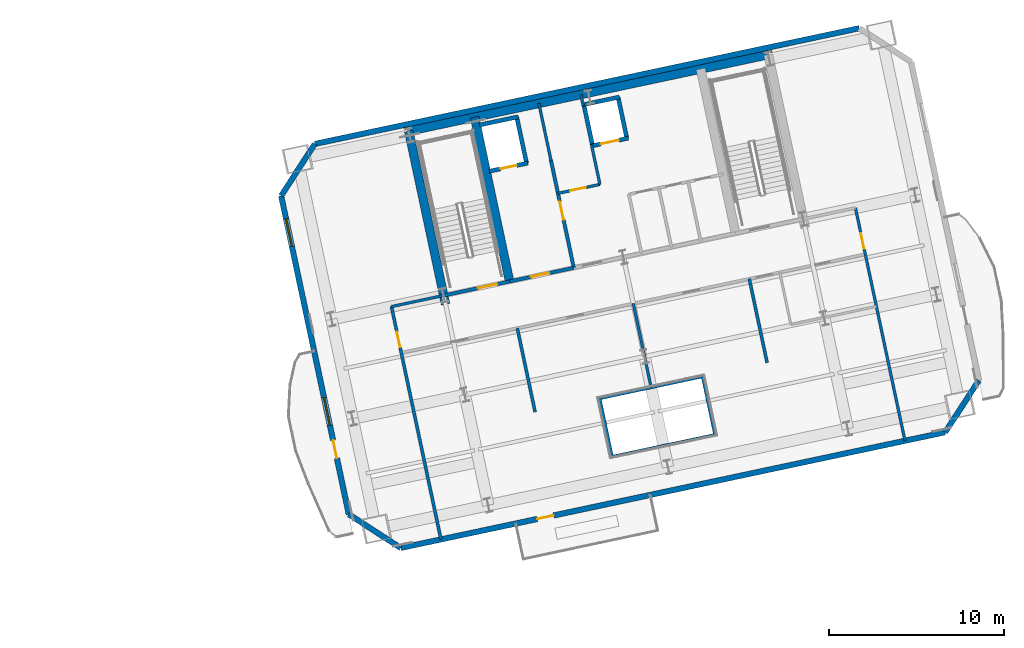
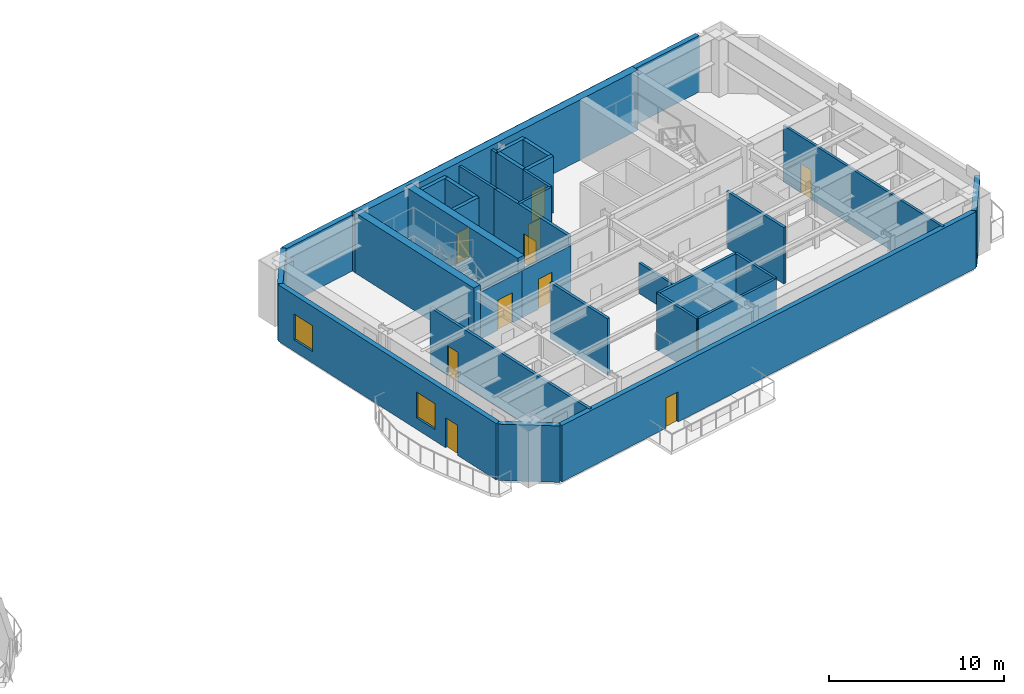
# One storey, part 9 of 15: 33 walls, 10 doors, 2 windows, 12 openings.
"""IFC4 building model written with IfcOpenShell, lengths in metres."""

from ifc_helpers import new_model, si_unit, direction, frame, frame_2d, origin, place, context, subcontext, project, spatial, rectangle, extrude, material, layer, layer_set, type_object, element, fill, save


model = new_model("IFC4")

# Units and contexts
model_context = context("Model", 3, precision=1e-05, world=origin(), true_north=direction((0.0, 1.0)))
body_context = subcontext(model_context, "Body", "Model", "MODEL_VIEW")
ifc_project = project(units=[si_unit("LENGTHUNIT", "METRE"), si_unit("AREAUNIT", "SQUARE_METRE"), si_unit("VOLUMEUNIT", "CUBIC_METRE"), si_unit("PLANEANGLEUNIT", "RADIAN"), si_unit("MASSUNIT", "GRAM", prefix="KILO")], contexts=[model_context])

# Site, building, storey
site_placement = place(None, origin())
site = spatial("IfcSite", under=ifc_project, at=site_placement, CompositionType="ELEMENT")
building_placement = place(site_placement, origin())
building = spatial("IfcBuilding", under=site, at=building_placement, Name="Haevon Station Towers", CompositionType="ELEMENT")
storey_placement = place(building_placement, frame((0.0, 0.0, 129.60009765625)))
storey = spatial("IfcBuildingStorey", under=building, at=storey_placement, Name="L35", CompositionType="ELEMENT", Elevation=129.60009765625)

# Wall, opening, door
ifc_material_1 = material(Name="Gypsum board on steel stud", Category="steel")
ifc_layer_1 = layer(ifc_material_1, 0.179931640625)
ifc_layer_set_1 = layer_set([ifc_layer_1], Name="Gypsum board on steel stud")
wall_type_1 = type_object("IfcWallType", Name="WL-ACU180", PredefinedType="PARTITIONING", material=ifc_layer_set_1)
wall_1_placement = place(storey_placement, frame((98.5966796875, 23.50537109375, 0.0), z_axis=(0.0, 0.0, 1.0), x_axis=(-0.207911785474, 0.978147580614, 0.0)))
wall_1 = element("IfcWall", 1, at=wall_1_placement, inside=storey, type_object=wall_type_1, Name="WL-T2PT-L35-03", PredefinedType="PARTITIONING", context=body_context, shape_type="SweptSolid", body=[
    extrude(rectangle(XDim=13.60009765625, YDim=0.179931640625, at=frame_2d((6.800048828125, 0.0))), origin(), (0.0, 0.0, 1.0), 3.929931640625),
])
opening_1_placement = place(wall_1_placement, frame((11.219970703125, 0.0, 0.0)))
opening_1 = element("IfcOpeningElement", 2, at=opening_1_placement, cuts=wall_1, Name="Opening DR-WL-T2PT-L35-03-01", PredefinedType="OPENING", context=body_context, shape_type="SweptSolid", body=[
    extrude(rectangle(XDim=0.89990234375, YDim=2.050048828125, at=frame_2d((0.449951171875, 1.02490234375))), frame((0.0, 0.099853515625, 0.0), z_axis=(0.0, -1.0, 0.0), x_axis=(1.0, 0.0, 0.0)), (0.0, 0.0, 1.0), 0.199951171875),
])
ifc_material_2 = material(Name="Engineered oak timber", Category="wood")
door_type_1 = type_object("IfcDoorType", Name="DR-INT-900", OperationType="NOTDEFINED", PredefinedType="DOOR", material=ifc_material_2)
door_1_placement = place(opening_1_placement, origin())
door_1 = element("IfcDoor", 3, at=door_1_placement, inside=storey, type_object=door_type_1, Name="L35 Tower 2 Room Door 3-1", OperationType="SINGLE_SWING_LEFT", OverallHeight=2.050048828125, OverallWidth=0.89990234375, PredefinedType="DOOR", context=body_context, shape_type="SweptSolid", body=[
    extrude(rectangle(XDim=0.89990234375, YDim=2.050048828125, at=frame_2d((0.449951171875, 1.02490234375))), frame((0.0, 0.02490234375, 0.0), z_axis=(0.0, -1.0, 0.0), x_axis=(1.0, 0.0, 0.0)), (0.0, 0.0, 1.0), 0.050048828125),
])
fill(opening_1, door_1)

# Walls
wall_2_placement = place(storey_placement, frame((107.668701171875, 31.56787109375, 0.0), z_axis=(0.0, 0.0, 1.0), x_axis=(0.978151197336, 0.207894769415, 0.0)))
element("IfcWall", 4, at=wall_2_placement, inside=storey, type_object=wall_type_1, Name="WL-T2PT-L35-06", PredefinedType="PARTITIONING", context=body_context, shape_type="SweptSolid", body=[
    extrude(rectangle(XDim=5.999755859375, YDim=0.179931640625, at=frame_2d((3.0, 0.0))), origin(), (0.0, 0.0, 1.0), 3.929931640625),
])
for number, where, z_axis, x_axis, name in (
    (5, (103.97607421875, 30.782958984375, 0.0), (0.0, 0.0, 1.0), (-0.207915961186, 0.978146693029, 0.0), "WL-T2PT-L35-09"),
    (6, (117.22998046875, 33.60009765625, 0.0), (0.0, 0.0, 1.0), (-0.207915961186, 0.978146693029, 0.0), "WL-T2PT-L35-12"),
):
    element("IfcWall", number, at=place(storey_placement, frame(where, z_axis=z_axis, x_axis=x_axis)), inside=storey, type_object=wall_type_1, Name=name, PredefinedType="PARTITIONING", context=body_context, shape_type="SweptSolid", body=[
        extrude(rectangle(XDim=4.900146484375, YDim=0.179931640625, at=frame_2d((2.4501953125, 0.0))), origin(), (0.0, 0.0, 1.0), 3.929931640625),
    ])

# Wall, opening, door
ifc_layer_2 = layer(ifc_material_1, 0.199951171875)
ifc_layer_set_2 = layer_set([ifc_layer_2], Name="Gypsum board on steel stud")
wall_type_2 = type_object("IfcWallType", Name="WL-COR200", PredefinedType="PARTITIONING", material=ifc_layer_set_2)
wall_3_placement = place(storey_placement, frame((98.75244140625, 37.4423828125, 0.0), z_axis=(0.0, 0.0, 1.0), x_axis=(0.978143537786, 0.207930804564, 0.0)))
wall_3 = element("IfcWall", 7, at=wall_3_placement, inside=storey, type_object=wall_type_2, Name="WL-ST-ST3-L35", PredefinedType="PARTITIONING", context=body_context, shape_type="SweptSolid", body=[
    extrude(rectangle(XDim=3.85009765625, YDim=0.199951171875, at=frame_2d((1.925048828125, 0.0))), origin(), (0.0, 0.0, 1.0), 3.27978515625),
])
opening_2_placement = place(wall_3_placement, frame((2.0, 0.0, 0.0)))
opening_2 = element("IfcOpeningElement", 8, at=opening_2_placement, cuts=wall_3, Name="Opening DR-ST-ST3-L35", PredefinedType="OPENING", context=body_context, shape_type="SweptSolid", body=[
    extrude(rectangle(XDim=1.1201171875, YDim=2.10009765625, at=frame_2d((0.56005859375, 1.050048828125))), frame((0.0, 0.10986328125, 0.0), z_axis=(0.0, -1.0, 0.0), x_axis=(1.0, 0.0, 0.0)), (0.0, 0.0, 1.0), 0.219970703125),
])
door_type_2 = type_object("IfcDoorType", Name="DR-ST-1120", OperationType="NOTDEFINED", PredefinedType="DOOR", material=ifc_material_2)
door_2_placement = place(opening_2_placement, origin())
door_2 = element("IfcDoor", 9, at=door_2_placement, inside=storey, type_object=door_type_2, Name="L35 Escape Stair ST3 Fire Door", OperationType="SINGLE_SWING_RIGHT", OverallHeight=2.10009765625, OverallWidth=1.1201171875, PredefinedType="DOOR", context=body_context, shape_type="SweptSolid", body=[
    extrude(rectangle(XDim=1.1201171875, YDim=2.10009765625, at=frame_2d((0.56005859375, 1.050048828125))), frame((0.0, 0.02490234375, 0.0), z_axis=(0.0, -1.0, 0.0), x_axis=(1.0, 0.0, 0.0)), (0.0, 0.0, 1.0), 0.050048828125),
])
fill(opening_2, door_2)

wall_4_placement = place(storey_placement, frame((106.186279296875, 39.0224609375, 0.0), z_axis=(0.0, 0.0, 1.0), x_axis=(-0.207916691923, 0.978146537703, 0.0)))
wall_4 = element("IfcWall", 10, at=wall_4_placement, inside=storey, type_object=wall_type_2, Name="WL-T2FFL-L35-E", PredefinedType="PARTITIONING", context=body_context, shape_type="SweptSolid", body=[
    extrude(rectangle(XDim=6.35009765625, YDim=0.199951171875, at=frame_2d((3.175048828125, 0.0))), origin(), (0.0, 0.0, 1.0), 3.929931640625),
])
opening_3_placement = place(wall_4_placement, frame((2.800048828125, 0.0, 0.0)))
opening_3 = element("IfcOpeningElement", 11, at=opening_3_placement, cuts=wall_4, Name="Opening DR-T2FFL-L35-E", PredefinedType="OPENING", context=body_context, shape_type="SweptSolid", body=[
    extrude(rectangle(XDim=1.050048828125, YDim=2.10009765625, at=frame_2d((0.52490234375, 1.050048828125))), frame((0.0, 0.10986328125, 0.0), z_axis=(0.0, -1.0, 0.0), x_axis=(1.0, 0.0, 0.0)), (0.0, 0.0, 1.0), 0.219970703125),
])
door_type_3 = type_object("IfcDoorType", Name="DR-FD60-1050", OperationType="NOTDEFINED", PredefinedType="DOOR", material=ifc_material_2)
door_3_placement = place(opening_3_placement, origin())
door_3 = element("IfcDoor", 12, at=door_3_placement, inside=storey, type_object=door_type_3, Name="L35 Tower 2 Firefighting Lift Lobby Door E", OperationType="SINGLE_SWING_RIGHT", OverallHeight=2.10009765625, OverallWidth=1.050048828125, PredefinedType="DOOR", context=body_context, shape_type="SweptSolid", body=[
    extrude(rectangle(XDim=1.050048828125, YDim=2.10009765625, at=frame_2d((0.52490234375, 1.050048828125))), frame((0.0, 0.02490234375, 0.0), z_axis=(0.0, -1.0, 0.0), x_axis=(1.0, 0.0, 0.0)), (0.0, 0.0, 1.0), 0.050048828125),
])
fill(opening_3, door_3)

wall_5_placement = place(storey_placement, frame((102.518310546875, 38.242919921875, 0.0), z_axis=(0.0, 0.0, 1.0), x_axis=(0.978153555683, 0.20788367301, 0.0)))
wall_5 = element("IfcWall", 13, at=wall_5_placement, inside=storey, type_object=wall_type_2, Name="WL-T2FFL-L35-S", PredefinedType="PARTITIONING", context=body_context, shape_type="SweptSolid", body=[
    extrude(rectangle(XDim=3.75, YDim=0.199951171875, at=frame_2d((1.875, 0.0))), origin(), (0.0, 0.0, 1.0), 3.27978515625),
])
opening_4_placement = place(wall_5_placement, frame((1.25, 0.0, 0.0)))
opening_4 = element("IfcOpeningElement", 14, at=opening_4_placement, cuts=wall_5, Name="Opening DR-T2FFL-L35-S", PredefinedType="OPENING", context=body_context, shape_type="SweptSolid", body=[
    extrude(rectangle(XDim=1.050048828125, YDim=2.10009765625, at=frame_2d((0.52490234375, 1.050048828125))), frame((0.0, 0.10986328125, 0.0), z_axis=(0.0, -1.0, 0.0), x_axis=(1.0, 0.0, 0.0)), (0.0, 0.0, 1.0), 0.219970703125),
])
door_4_placement = place(opening_4_placement, origin())
door_4 = element("IfcDoor", 15, at=door_4_placement, inside=storey, type_object=door_type_3, Name="L35 Tower 2 Firefighting Lift Lobby Door S", OperationType="SINGLE_SWING_LEFT", OverallHeight=2.10009765625, OverallWidth=1.050048828125, PredefinedType="DOOR", context=body_context, shape_type="SweptSolid", body=[
    extrude(rectangle(XDim=1.050048828125, YDim=2.10009765625, at=frame_2d((0.52490234375, 1.050048828125))), frame((0.0, 0.02490234375, 0.0), z_axis=(0.0, -1.0, 0.0), x_axis=(1.0, 0.0, 0.0)), (0.0, 0.0, 1.0), 0.050048828125),
])
fill(opening_4, door_4)

# Walls
ifc_material_3 = material(Name="Concrete C60/75", Category="concrete")
ifc_layer_3 = layer(ifc_material_3, 0.5)
ifc_layer_set_3 = layer_set([ifc_layer_3], Name="Concrete C60/75")
wall_type_3 = type_object("IfcWallType", Name="WL-CR500", PredefinedType="SHEAR", material=ifc_layer_set_3)
wall_6_placement = place(storey_placement, frame((96.511962890625, 46.78076171875, 0.0), z_axis=(0.0, 0.0, 1.0), x_axis=(0.978148546782, 0.207907239961, 0.0)))
element("IfcWall", 16, at=wall_6_placement, inside=storey, type_object=wall_type_3, Name="WL-T2CR-L35-N", PredefinedType="SHEAR", context=body_context, shape_type="SweptSolid", body=[
    extrude(rectangle(XDim=21.499755859375, YDim=0.5, at=frame_2d((10.75, 0.0))), origin(), (0.0, 0.0, 1.0), 4.199951171875),
])
wall_7_placement = place(storey_placement, frame((98.8603515625, 36.933837890625, 0.0), z_axis=(0.0, 0.0, 1.0), x_axis=(-0.20790924889, 0.978148119778, 0.0)))
element("IfcWall", 17, at=wall_7_placement, inside=storey, type_object=wall_type_3, Name="WL-T2CR-L35-W", PredefinedType="SHEAR", context=body_context, shape_type="SweptSolid", body=[
    extrude(rectangle(XDim=10.119873046875, YDim=0.5, at=frame_2d((5.06005859375, 0.0))), origin(), (0.0, 0.0, 1.0), 4.199951171875),
])
wall_8_placement = place(storey_placement, frame((102.518310546875, 38.242919921875, 0.0), z_axis=(0.0, 0.0, 1.0), x_axis=(-0.207927495108, 0.978144241295, 0.0)))
element("IfcWall", 18, at=wall_8_placement, inside=storey, type_object=wall_type_3, Name="WL-T2CR-L35-M1", PredefinedType="SHEAR", context=body_context, shape_type="SweptSolid", body=[
    extrude(rectangle(XDim=9.599853515625, YDim=0.5, at=frame_2d((4.7998046875, 0.0))), origin(), (0.0, 0.0, 1.0), 4.199951171875),
])

# Wall, opening, door
ifc_material_4 = material(Name="Precast concrete C45/55", Category="concrete")
ifc_layer_4 = layer(ifc_material_4, 0.320068359375)
ifc_layer_set_4 = layer_set([ifc_layer_4], Name="Precast concrete C45/55")
wall_type_4 = type_object("IfcWallType", Name="WL-EXT-PIER320", PredefinedType="SOLIDWALL", material=ifc_layer_set_4)
wall_9_placement = place(storey_placement, frame((127.403076171875, 29.62841796875, 0.0), z_axis=(0.0, 0.0, 1.0), x_axis=(-0.978147903401, -0.207910266877, 0.0)))
wall_9 = element("IfcWall", 19, at=wall_9_placement, inside=storey, type_object=wall_type_4, Name="WL-T2-L35-S", PredefinedType="SOLIDWALL", context=body_context, shape_type="SweptSolid", body=[
    extrude(rectangle(XDim=31.800048828125, YDim=0.320068359375, at=frame_2d((15.89990234375, 0.0))), origin(), (0.0, 0.0, 1.0), 3.929931640625),
])
opening_5_placement = place(wall_9_placement, frame((22.875, 0.0, 0.0)))
opening_5 = element("IfcOpeningElement", 20, at=opening_5_placement, cuts=wall_9, Name="Opening DR-T2-PBAND-L35-1", PredefinedType="OPENING", context=body_context, shape_type="SweptSolid", body=[
    extrude(rectangle(XDim=0.949951171875, YDim=2.10009765625, at=frame_2d((0.47509765625, 1.050048828125))), frame((0.0, 0.169921875, 0.0), z_axis=(0.0, -1.0, 0.0), x_axis=(1.0, 0.0, 0.0)), (0.0, 0.0, 1.0), 0.340087890625),
])
ifc_material_5 = material(Name="Thermally broken anodised aluminium and laminated safety glass", Category="aluminium")
door_type_4 = type_object("IfcDoorType", Name="DR-BALC-950", OperationType="NOTDEFINED", PredefinedType="DOOR", material=ifc_material_5)
door_5_placement = place(opening_5_placement, origin())
door_5 = element("IfcDoor", 21, at=door_5_placement, inside=storey, type_object=door_type_4, Name="Tower 2 L35 Balcony Terrace Door", OperationType="SINGLE_SWING_RIGHT", OverallHeight=2.10009765625, OverallWidth=0.949951171875, PredefinedType="DOOR", context=body_context, shape_type="SweptSolid", body=[
    extrude(rectangle(XDim=0.949951171875, YDim=2.10009765625, at=frame_2d((0.47509765625, 1.050048828125))), frame((0.0, 0.02490234375, 0.0), z_axis=(0.0, -1.0, 0.0), x_axis=(1.0, 0.0, 0.0)), (0.0, 0.0, 1.0), 0.050048828125),
])
fill(opening_5, door_5)

# Wall
wall_10_placement = place(storey_placement, frame((96.2978515625, 23.016845703125, 0.0), z_axis=(0.0, 0.0, 1.0), x_axis=(-0.838672309694, 0.544636352948, 0.0)))
element("IfcWall", 22, at=wall_10_placement, inside=storey, type_object=wall_type_4, Name="WL-T2-L35-SWC", PredefinedType="SOLIDWALL", context=body_context, shape_type="SweptSolid", body=[
    extrude(rectangle(XDim=3.535400390625, YDim=0.320068359375, at=frame_2d((1.767578125, 0.0))), origin(), (0.0, 0.0, 1.0), 3.929931640625),
])

# Wall, openings, door, windows
wall_11_placement = place(storey_placement, frame((93.332763671875, 24.9423828125, 0.0), z_axis=(0.0, 0.0, 1.0), x_axis=(-0.207912600897, 0.97814740729, 0.0)))
wall_11 = element("IfcWall", 23, at=wall_11_placement, inside=storey, type_object=wall_type_4, Name="WL-T2-L35-W", PredefinedType="SOLIDWALL", context=body_context, shape_type="SweptSolid", body=[
    extrude(rectangle(XDim=18.60009765625, YDim=0.320068359375, at=frame_2d((9.300048828125, 0.0))), origin(), (0.0, 0.0, 1.0), 3.929931640625),
])
opening_6_placement = place(wall_11_placement, frame((3.27490234375, 0.0, 0.0)))
opening_6 = element("IfcOpeningElement", 24, at=opening_6_placement, cuts=wall_11, Name="Opening DR-T2-SCAL-L35-W", PredefinedType="OPENING", context=body_context, shape_type="SweptSolid", body=[
    extrude(rectangle(XDim=1.050048828125, YDim=2.10009765625, at=frame_2d((0.52490234375, 1.050048828125))), frame((0.0, 0.169921875, 0.0), z_axis=(0.0, -1.0, 0.0), x_axis=(1.0, 0.0, 0.0)), (0.0, 0.0, 1.0), 0.340087890625),
])
opening_7_placement = place(wall_11_placement, frame((5.199951171875, 0.0, 0.800048828125)))
opening_7 = element("IfcOpeningElement", 25, at=opening_7_placement, cuts=wall_11, Name="Opening WN-END160", PredefinedType="OPENING", context=body_context, shape_type="SweptSolid", body=[
    extrude(rectangle(XDim=1.60009765625, YDim=1.800048828125, at=frame_2d((0.800048828125, 0.89990234375))), frame((0.0, 0.169921875, 0.0), z_axis=(0.0, -1.0, 0.0), x_axis=(1.0, 0.0, 0.0)), (0.0, 0.0, 1.0), 0.340087890625),
])
opening_8_placement = place(wall_11_placement, frame((15.64990234375, 0.0, 0.800048828125)))
opening_8 = element("IfcOpeningElement", 26, at=opening_8_placement, cuts=wall_11, Name="Opening WN-END160", PredefinedType="OPENING", context=body_context, shape_type="SweptSolid", body=[
    extrude(rectangle(XDim=1.60009765625, YDim=1.800048828125, at=frame_2d((0.800048828125, 0.89990234375))), frame((0.0, 0.169921875, 0.0), z_axis=(0.0, -1.0, 0.0), x_axis=(1.0, 0.0, 0.0)), (0.0, 0.0, 1.0), 0.340087890625),
])
door_type_5 = type_object("IfcDoorType", Name="DR-BALC-1050", OperationType="NOTDEFINED", PredefinedType="DOOR", material=ifc_material_5)
door_6_placement = place(opening_6_placement, origin())
door_6 = element("IfcDoor", 27, at=door_6_placement, inside=storey, type_object=door_type_5, Name="Tower 2 L35 West Scalloped Balcony Door", OperationType="SINGLE_SWING_LEFT", OverallHeight=2.10009765625, OverallWidth=1.050048828125, PredefinedType="DOOR", context=body_context, shape_type="SweptSolid", body=[
    extrude(rectangle(XDim=1.050048828125, YDim=2.10009765625, at=frame_2d((0.52490234375, 1.050048828125))), frame((0.0, 0.02490234375, 0.0), z_axis=(0.0, -1.0, 0.0), x_axis=(1.0, 0.0, 0.0)), (0.0, 0.0, 1.0), 0.050048828125),
])
fill(opening_6, door_6)
ifc_material_6 = material(Name="Low-E triple glazing in thermally broken aluminium", Category="aluminium")
window_type = type_object("IfcWindowType", Name="WN-END160", PartitioningType="SINGLE_PANEL", PredefinedType="WINDOW", material=ifc_material_6)
window_1_placement = place(opening_7_placement, origin())
window_1 = element("IfcWindow", 28, at=window_1_placement, inside=storey, type_object=window_type, Name="WN-T2-L35-W01", OverallHeight=1.800048828125, OverallWidth=1.60009765625, PartitioningType="SINGLE_PANEL", PredefinedType="WINDOW", context=body_context, shape_type="SweptSolid", body=[
    extrude(rectangle(XDim=1.60009765625, YDim=1.800048828125, at=frame_2d((0.800048828125, 0.89990234375))), frame((0.0, 0.030029296875, 0.0), z_axis=(0.0, -1.0, 0.0), x_axis=(1.0, 0.0, 0.0)), (0.0, 0.0, 1.0), 0.06005859375),
])
fill(opening_7, window_1)
window_2_placement = place(opening_8_placement, origin())
window_2 = element("IfcWindow", 29, at=window_2_placement, inside=storey, type_object=window_type, Name="WN-T2-L35-W02", OverallHeight=1.800048828125, OverallWidth=1.60009765625, PartitioningType="SINGLE_PANEL", PredefinedType="WINDOW", context=body_context, shape_type="SweptSolid", body=[
    extrude(rectangle(XDim=1.60009765625, YDim=1.800048828125, at=frame_2d((0.800048828125, 0.89990234375))), frame((0.0, 0.030029296875, 0.0), z_axis=(0.0, -1.0, 0.0), x_axis=(1.0, 0.0, 0.0)), (0.0, 0.0, 1.0), 0.06005859375),
])
fill(opening_8, window_2)

# Walls
wall_12_placement = place(storey_placement, frame((89.465576171875, 43.135986328125, 0.0), z_axis=(0.0, 0.0, 1.0), x_axis=(0.544684921471, 0.838640767148, 0.0)))
element("IfcWall", 30, at=wall_12_placement, inside=storey, type_object=wall_type_4, Name="WL-T2-L35-NWC", PredefinedType="SOLIDWALL", context=body_context, shape_type="SweptSolid", body=[
    extrude(rectangle(XDim=3.53564453125, YDim=0.320068359375, at=frame_2d((1.767822265625, 0.0))), origin(), (0.0, 0.0, 1.0), 3.929931640625),
])
wall_13_placement = place(storey_placement, frame((91.391357421875, 46.10107421875, 0.0), z_axis=(0.0, 0.0, 1.0), x_axis=(0.978147571531, 0.207911828208, 0.0)))
element("IfcWall", 31, at=wall_13_placement, inside=storey, type_object=wall_type_4, Name="WL-T2-L35-N", PredefinedType="SOLIDWALL", context=body_context, shape_type="SweptSolid", body=[
    extrude(rectangle(XDim=31.7998046875, YDim=0.320068359375, at=frame_2d((15.89990234375, 0.0))), origin(), (0.0, 0.0, 1.0), 3.929931640625),
])
wall_14_placement = place(storey_placement, frame((129.32861328125, 32.593505859375, 0.0), z_axis=(0.0, 0.0, 1.0), x_axis=(-0.544636352948, -0.838672309694, 0.0)))
element("IfcWall", 32, at=wall_14_placement, inside=storey, type_object=wall_type_4, Name="WL-T2-L35-SEC", PredefinedType="SOLIDWALL", context=body_context, shape_type="SweptSolid", body=[
    extrude(rectangle(XDim=3.535400390625, YDim=0.320068359375, at=frame_2d((1.767578125, 0.0))), origin(), (0.0, 0.0, 1.0), 3.929931640625),
])
ifc_layer_5 = layer(ifc_material_1, 0.159912109375)
ifc_layer_set_5 = layer_set([ifc_layer_5], Name="Gypsum board on steel stud")
wall_type_5 = type_object("IfcWallType", Name="WL-PRT160", PredefinedType="PARTITIONING", material=ifc_layer_set_5)
wall_15_placement = place(storey_placement, frame((104.88671875, 45.135986328125, 0.0), z_axis=(0.0, 0.0, 1.0), x_axis=(-0.207846553267, 0.978161443881, 0.0)))
element("IfcWall", 33, at=wall_15_placement, inside=storey, type_object=wall_type_5, Name="WL-T2CW-L35-01", PredefinedType="PARTITIONING", context=body_context, shape_type="SweptSolid", body=[
    extrude(rectangle(XDim=3.35009765625, YDim=0.159912109375, at=frame_2d((1.675048828125, 0.0))), origin(), (0.0, 0.0, 1.0), 3.929931640625),
])

# Wall, opening, door
wall_16_placement = place(storey_placement, frame((105.28173828125, 43.277587890625, 0.0), z_axis=(0.0, 0.0, 1.0), x_axis=(0.978156824814, 0.207868290196, 0.0)))
wall_16 = element("IfcWall", 34, at=wall_16_placement, inside=storey, type_object=wall_type_5, Name="WL-T2CW-L35-02", PredefinedType="PARTITIONING", context=body_context, shape_type="SweptSolid", body=[
    extrude(rectangle(XDim=2.449951171875, YDim=0.159912109375, at=frame_2d((1.22509765625, 0.0))), origin(), (0.0, 0.0, 1.0), 3.929931640625),
])
opening_9_placement = place(wall_16_placement, frame((0.719970703125, 0.0, 0.0)))
opening_9 = element("IfcOpeningElement", 35, at=opening_9_placement, cuts=wall_16, Name="Opening DR-WL-T2CW-L35-02-1", PredefinedType="OPENING", context=body_context, shape_type="SweptSolid", body=[
    extrude(rectangle(XDim=0.89990234375, YDim=2.10009765625, at=frame_2d((0.449951171875, 1.050048828125))), frame((0.0, 0.08984375, 0.0), z_axis=(0.0, -1.0, 0.0), x_axis=(1.0, 0.0, 0.0)), (0.0, 0.0, 1.0), 0.179931640625),
])
door_type_6 = type_object("IfcDoorType", Name="DR-FD60-900", OperationType="NOTDEFINED", PredefinedType="DOOR", material=ifc_material_2)
door_7_placement = place(opening_9_placement, origin())
door_7 = element("IfcDoor", 36, at=door_7_placement, inside=storey, type_object=door_type_6, Name="L35 Tower 2 Core Room Door 2-1", OperationType="SINGLE_SWING_LEFT", OverallHeight=2.10009765625, OverallWidth=0.89990234375, PredefinedType="DOOR", context=body_context, shape_type="SweptSolid", body=[
    extrude(rectangle(XDim=0.89990234375, YDim=2.10009765625, at=frame_2d((0.449951171875, 1.050048828125))), frame((0.0, 0.02490234375, 0.0), z_axis=(0.0, -1.0, 0.0), x_axis=(1.0, 0.0, 0.0)), (0.0, 0.0, 1.0), 0.050048828125),
])
fill(opening_9, door_7)

# Walls
wall_17_placement = place(storey_placement, frame((107.67822265625, 43.786865234375, 0.0), z_axis=(0.0, 0.0, 1.0), x_axis=(-0.207839712757, 0.978162897375, 0.0)))
element("IfcWall", 37, at=wall_17_placement, inside=storey, type_object=wall_type_5, Name="WL-T2CW-L35-03", PredefinedType="PARTITIONING", context=body_context, shape_type="SweptSolid", body=[
    extrude(rectangle(XDim=2.300048828125, YDim=0.159912109375, at=frame_2d((1.14990234375, 0.0))), origin(), (0.0, 0.0, 1.0), 3.929931640625),
])
wall_18_placement = place(storey_placement, frame((106.721923828125, 48.286376953125, 0.0), z_axis=(0.0, 0.0, 1.0), x_axis=(-0.208092352933, 0.978109182377, 0.0)))
element("IfcWall", 38, at=wall_18_placement, inside=storey, type_object=wall_type_5, Name="WL-T2CW-L35-04", PredefinedType="PARTITIONING", context=body_context, shape_type="SweptSolid", body=[
    extrude(rectangle(XDim=0.64990234375, YDim=0.159912109375, at=frame_2d((0.324951171875, 0.0))), origin(), (0.0, 0.0, 1.0), 3.929931640625),
])
wall_19_placement = place(storey_placement, frame((95.76904296875, 36.808349609375, 0.0), z_axis=(0.0, 0.0, 1.0), x_axis=(0.978154782045, 0.207877902534, 0.0)))
element("IfcWall", 39, at=wall_19_placement, inside=storey, type_object=wall_type_5, Name="WL-T2PT-L35-01", PredefinedType="PARTITIONING", context=body_context, shape_type="SweptSolid", body=[
    extrude(rectangle(XDim=3.050048828125, YDim=0.159912109375, at=frame_2d((1.52490234375, 0.0))), origin(), (0.0, 0.0, 1.0), 2.1298828125),
])

# Wall, opening, door
wall_20_placement = place(storey_placement, frame((125.1044921875, 29.139892578125, 0.0), z_axis=(0.0, 0.0, 1.0), x_axis=(-0.207915436261, 0.978146804608, 0.0)))
wall_20 = element("IfcWall", 40, at=wall_20_placement, inside=storey, type_object=wall_type_5, Name="WL-T2PT-L35-04", PredefinedType="PARTITIONING", context=body_context, shape_type="SweptSolid", body=[
    extrude(rectangle(XDim=13.599853515625, YDim=0.159912109375, at=frame_2d((6.7998046875, 0.0))), origin(), (0.0, 0.0, 1.0), 3.929931640625),
])
opening_10_placement = place(wall_20_placement, frame((11.219970703125, 0.0, 0.0)))
opening_10 = element("IfcOpeningElement", 41, at=opening_10_placement, cuts=wall_20, Name="Opening DR-WL-T2PT-L35-04-01", PredefinedType="OPENING", context=body_context, shape_type="SweptSolid", body=[
    extrude(rectangle(XDim=0.89990234375, YDim=2.050048828125, at=frame_2d((0.449951171875, 1.02490234375))), frame((0.0, 0.08984375, 0.0), z_axis=(0.0, -1.0, 0.0), x_axis=(1.0, 0.0, 0.0)), (0.0, 0.0, 1.0), 0.179931640625),
])
door_8_placement = place(opening_10_placement, origin())
door_8 = element("IfcDoor", 42, at=door_8_placement, inside=storey, type_object=door_type_1, Name="L35 Tower 2 Room Door 4-1", OperationType="SINGLE_SWING_RIGHT", OverallHeight=2.050048828125, OverallWidth=0.89990234375, PredefinedType="DOOR", context=body_context, shape_type="SweptSolid", body=[
    extrude(rectangle(XDim=0.89990234375, YDim=2.050048828125, at=frame_2d((0.449951171875, 1.02490234375))), frame((0.0, 0.02490234375, 0.0), z_axis=(0.0, -1.0, 0.0), x_axis=(1.0, 0.0, 0.0)), (0.0, 0.0, 1.0), 0.050048828125),
])
fill(opening_10, door_8)

# Walls
wall_21_placement = place(storey_placement, frame((108.37548828125, 28.2421875, 0.0), z_axis=(0.0, 0.0, 1.0), x_axis=(0.978152955943, 0.207886494942, 0.0)))
element("IfcWall", 43, at=wall_21_placement, inside=storey, type_object=wall_type_5, Name="WL-T2PT-L35-05", PredefinedType="PARTITIONING", context=body_context, shape_type="SweptSolid", body=[
    extrude(rectangle(XDim=6.0, YDim=0.159912109375, at=frame_2d((3.0, 0.0))), origin(), (0.0, 0.0, 1.0), 3.929931640625),
])
for number, where, z_axis, x_axis, name in (
    (44, (108.37548828125, 28.2421875, 0.0), (0.0, 0.0, 1.0), (-0.207881084728, 0.978154105758, 0.0), "WL-T2PT-L35-07"),
    (45, (114.244384765625, 29.489501953125, 0.0), (0.0, 0.0, 1.0), (-0.207949787024, 0.97813950236, 0.0), "WL-T2PT-L35-08"),
):
    element("IfcWall", number, at=place(storey_placement, frame(where, z_axis=z_axis, x_axis=x_axis)), inside=storey, type_object=wall_type_5, Name=name, PredefinedType="PARTITIONING", context=body_context, shape_type="SweptSolid", body=[
        extrude(rectangle(XDim=3.39990234375, YDim=0.159912109375, at=frame_2d((1.699951171875, 0.0))), origin(), (0.0, 0.0, 1.0), 3.929931640625),
    ])
wall_22_placement = place(storey_placement, frame((110.60302734375, 32.191650390625, 0.0), z_axis=(0.0, 0.0, 1.0), x_axis=(-0.207926094511, 0.978144539023, 0.0)))
element("IfcWall", 46, at=wall_22_placement, inside=storey, type_object=wall_type_5, Name="WL-T2PT-L35-10", PredefinedType="PARTITIONING", context=body_context, shape_type="SweptSolid", body=[
    extrude(rectangle(XDim=4.89990234375, YDim=0.159912109375, at=frame_2d((2.449951171875, 0.0))), origin(), (0.0, 0.0, 1.0), 2.1298828125),
])

# Wall, opening, door
ifc_material_7 = material(Name="Concrete C40/50", Category="concrete")
ifc_layer_6 = layer(ifc_material_7, 0.239990234375)
ifc_layer_set_6 = layer_set([ifc_layer_6], Name="Concrete C40/50")
wall_type_6 = type_object("IfcWallType", Name="WL-SHF240", PredefinedType="PARTITIONING", material=ifc_layer_set_6)
wall_23_placement = place(storey_placement, frame((101.353759765625, 44.538330078125, 0.0), z_axis=(0.0, 0.0, 1.0), x_axis=(0.978141002414, 0.207942731049, 0.0)))
wall_23 = element("IfcWall", 47, at=wall_23_placement, inside=storey, type_object=wall_type_6, Name="WL-SHF-FL2-L35", PredefinedType="PARTITIONING", context=body_context, shape_type="SweptSolid", body=[
    extrude(rectangle(XDim=2.260009765625, YDim=0.239990234375, at=frame_2d((1.1298828125, 0.0))), origin(), (0.0, 0.0, 1.0), 3.929931640625),
])
opening_11_placement = place(wall_23_placement, frame((0.655029296875, 0.0, 0.0)))
opening_11 = element("IfcOpeningElement", 48, at=opening_11_placement, cuts=wall_23, Name="Opening LD-FL2-L35", PredefinedType="OPENING", context=body_context, shape_type="SweptSolid", body=[
    extrude(rectangle(XDim=0.949951171875, YDim=2.14990234375, at=frame_2d((0.47509765625, 1.074951171875))), frame((0.0, 0.1298828125, 0.0), z_axis=(0.0, -1.0, 0.0), x_axis=(1.0, 0.0, 0.0)), (0.0, 0.0, 1.0), 0.260009765625),
])
ifc_material_8 = material(Name="Stainless steel and rated core", Category="steel")
door_type_7 = type_object("IfcDoorType", Name="LD-FL950", OperationType="SLIDING_TO_LEFT", PredefinedType="DOOR", material=ifc_material_8)
door_9_placement = place(opening_11_placement, origin())
door_9 = element("IfcDoor", 49, at=door_9_placement, inside=storey, type_object=door_type_7, Name="L35 Lift FL2 Sliding Landing Door", OperationType="SLIDING_TO_LEFT", OverallHeight=2.14990234375, OverallWidth=0.949951171875, PredefinedType="DOOR", context=body_context, shape_type="SweptSolid", body=[
    extrude(rectangle(XDim=0.949951171875, YDim=2.14990234375, at=frame_2d((0.47509765625, 1.074951171875))), frame((0.0, 0.02490234375, 0.0), z_axis=(0.0, -1.0, 0.0), x_axis=(1.0, 0.0, 0.0)), (0.0, 0.0, 1.0), 0.050048828125),
])
fill(opening_11, door_9)

# Walls
wall_24_placement = place(storey_placement, frame((100.79248046875, 47.179443359375, 0.0), z_axis=(0.0, 0.0, 1.0), x_axis=(0.978162968872, 0.207839376268, 0.0)))
element("IfcWall", 50, at=wall_24_placement, inside=storey, type_object=wall_type_6, Name="WL-SHF-FL2-L35-N", PredefinedType="PARTITIONING", context=body_context, shape_type="SweptSolid", body=[
    extrude(rectangle(XDim=2.260009765625, YDim=0.239990234375, at=frame_2d((1.1298828125, 0.0))), origin(), (0.0, 0.0, 1.0), 3.929931640625),
])
wall_25_placement = place(storey_placement, frame((103.486328125, 44.99169921875, 0.0), z_axis=(0.0, 0.0, 1.0), x_axis=(-0.207978798957, 0.978133334052, 0.0)))
element("IfcWall", 51, at=wall_25_placement, inside=storey, type_object=wall_type_6, Name="WL-SHF-FL2-L35-E", PredefinedType="PARTITIONING", context=body_context, shape_type="SweptSolid", body=[
    extrude(rectangle(XDim=2.699951171875, YDim=0.239990234375, at=frame_2d((1.35009765625, 0.0))), origin(), (0.0, 0.0, 1.0), 3.929931640625),
])

# Wall, opening, door
wall_26_placement = place(storey_placement, frame((107.18115234375, 45.9814453125, 0.0), z_axis=(0.0, 0.0, 1.0), x_axis=(0.97813528961, 0.207969601673, 0.0)))
wall_26 = element("IfcWall", 52, at=wall_26_placement, inside=storey, type_object=wall_type_6, Name="WL-SHF-PL8-L35", PredefinedType="PARTITIONING", context=body_context, shape_type="SweptSolid", body=[
    extrude(rectangle(XDim=2.159912109375, YDim=0.239990234375, at=frame_2d((1.080078125, 0.0))), origin(), (0.0, 0.0, 1.0), 3.929931640625),
])
opening_12_placement = place(wall_26_placement, frame((0.554931640625, 0.0, 0.0)))
opening_12 = element("IfcOpeningElement", 53, at=opening_12_placement, cuts=wall_26, Name="Opening LD-PL8-L35", PredefinedType="OPENING", context=body_context, shape_type="SweptSolid", body=[
    extrude(rectangle(XDim=1.050048828125, YDim=2.14990234375, at=frame_2d((0.52490234375, 1.074951171875))), frame((0.0, 0.1298828125, 0.0), z_axis=(0.0, -1.0, 0.0), x_axis=(1.0, 0.0, 0.0)), (0.0, 0.0, 1.0), 0.260009765625),
])
door_type_8 = type_object("IfcDoorType", Name="LD-PL1050", OperationType="SLIDING_TO_LEFT", PredefinedType="DOOR", material=ifc_material_8)
door_10_placement = place(opening_12_placement, origin())
door_10 = element("IfcDoor", 54, at=door_10_placement, inside=storey, type_object=door_type_8, Name="L35 Lift PL8 Sliding Landing Door", OperationType="SLIDING_TO_LEFT", OverallHeight=2.14990234375, OverallWidth=1.050048828125, PredefinedType="DOOR", context=body_context, shape_type="SweptSolid", body=[
    extrude(rectangle(XDim=1.050048828125, YDim=2.14990234375, at=frame_2d((0.52490234375, 1.074951171875))), frame((0.0, 0.02490234375, 0.0), z_axis=(0.0, -1.0, 0.0), x_axis=(1.0, 0.0, 0.0)), (0.0, 0.0, 1.0), 0.050048828125),
])
fill(opening_12, door_10)

# Walls
wall_27_placement = place(storey_placement, frame((106.68212890625, 48.3291015625, 0.0), z_axis=(0.0, 0.0, 1.0), x_axis=(0.978158276388, 0.207861459473, 0.0)))
element("IfcWall", 55, at=wall_27_placement, inside=storey, type_object=wall_type_6, Name="WL-SHF-PL8-L35-N", PredefinedType="PARTITIONING", context=body_context, shape_type="SweptSolid", body=[
    extrude(rectangle(XDim=2.159912109375, YDim=0.239990234375, at=frame_2d((1.080078125, 0.0))), origin(), (0.0, 0.0, 1.0), 3.929931640625),
])
for number, where, z_axis, x_axis, name in (
    (56, (107.259521484375, 45.998046875, 0.0), (0.0, 0.0, 1.0), (-0.207917150959, 0.978146440129, 0.0), "WL-SHF-PL8-L35-W"),
    (57, (109.2158203125, 46.413818359375, 0.0), (0.0, 0.0, 1.0), (-0.207917150959, 0.978146440129, 0.0), "WL-SHF-PL8-L35-E"),
):
    element("IfcWall", number, at=place(storey_placement, frame(where, z_axis=z_axis, x_axis=x_axis)), inside=storey, type_object=wall_type_6, Name=name, PredefinedType="PARTITIONING", context=body_context, shape_type="SweptSolid", body=[
        extrude(rectangle(XDim=2.400146484375, YDim=0.239990234375, at=frame_2d((1.2001953125, 0.0))), origin(), (0.0, 0.0, 1.0), 3.929931640625),
    ])

save(model, "model.ifc")
